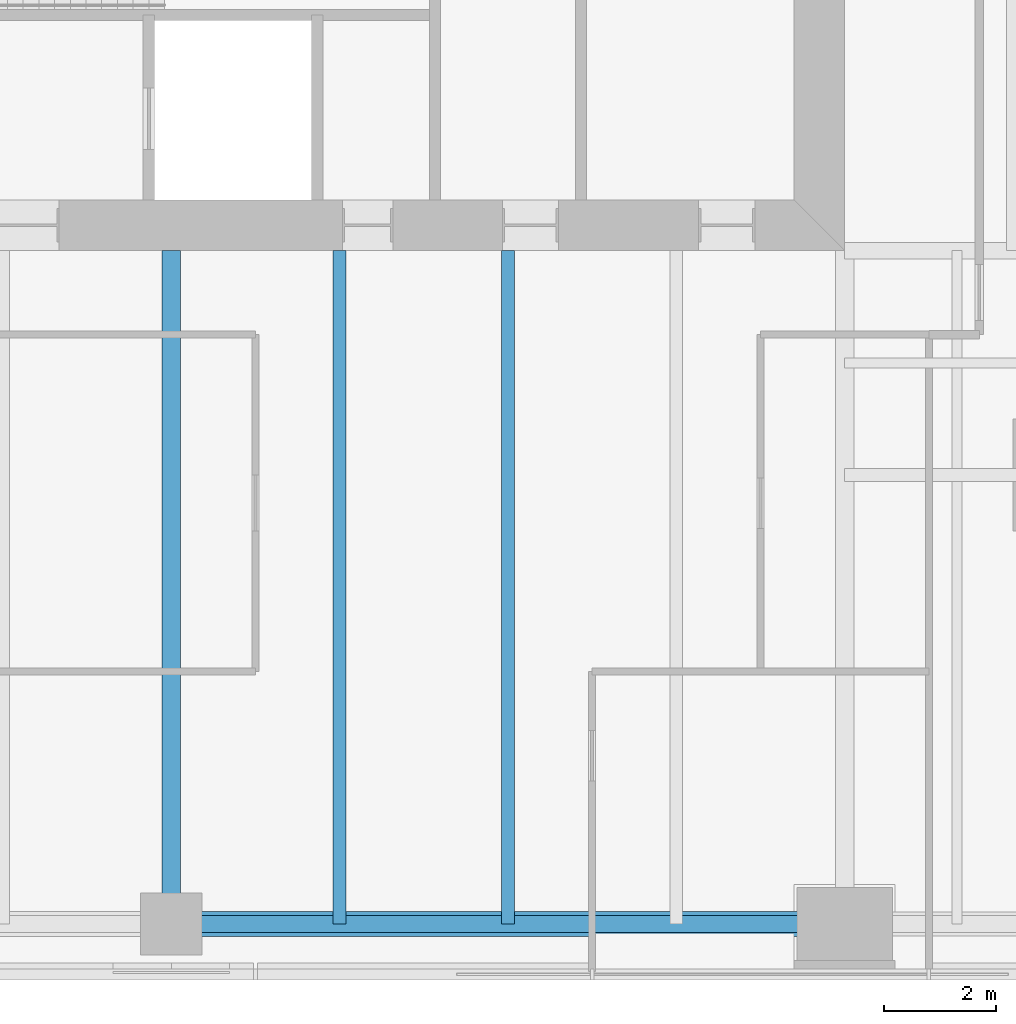
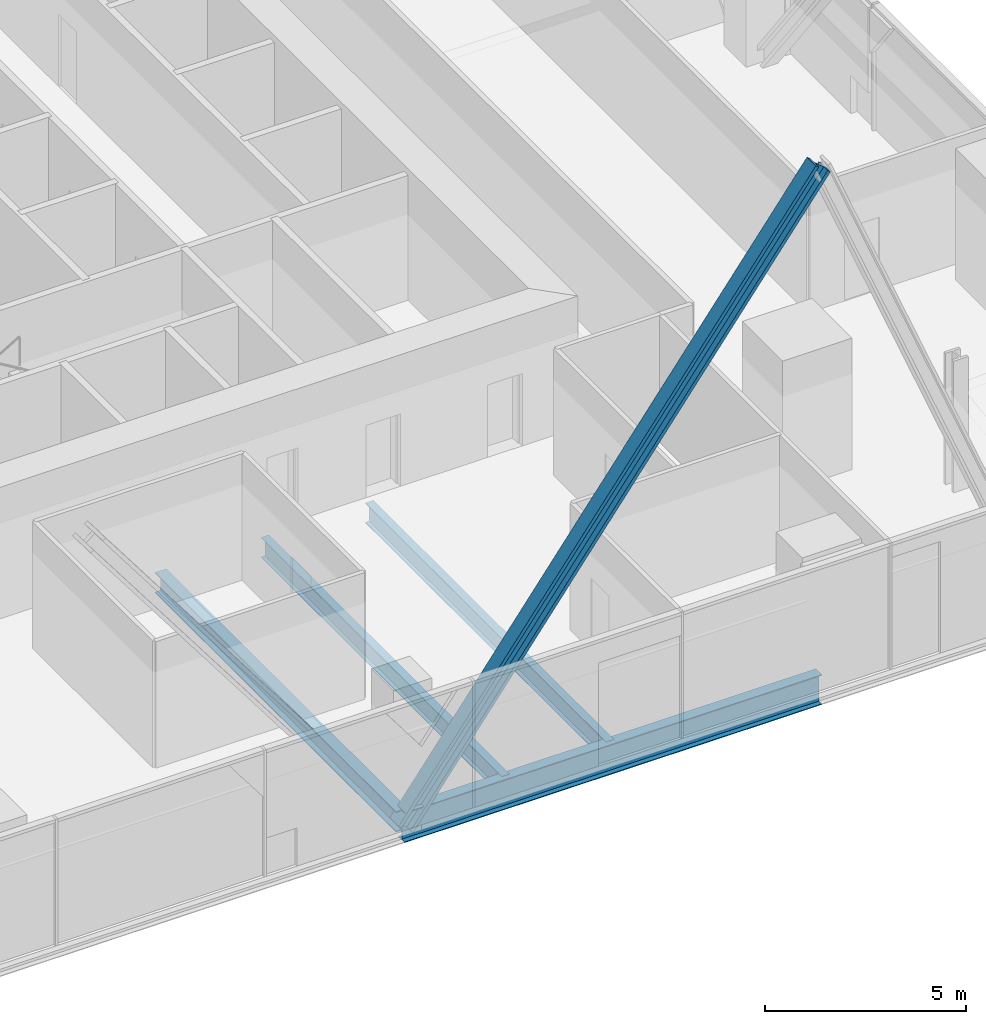
# One storey, part 3 of 14: 4 beams, 1 member.
"""IFC4 building model written with IfcOpenShell, lengths in metres."""

from ifc_helpers import new_model, si_unit, direction, frame, origin, origin_2d, place, context, subcontext, project, spatial, i_section, extrude, material, material_profile, profile_set, type_object, element, save


model = new_model("IFC4")

# Units and contexts
model_context = context("Model", 3, precision=1e-05, world=origin(), true_north=direction((0.0, 1.0)))
body_context = subcontext(model_context, "Body", "Model", "MODEL_VIEW")
ifc_project = project(units=[si_unit("LENGTHUNIT", "METRE"), si_unit("AREAUNIT", "SQUARE_METRE"), si_unit("VOLUMEUNIT", "CUBIC_METRE"), si_unit("PLANEANGLEUNIT", "RADIAN"), si_unit("MASSUNIT", "GRAM", prefix="KILO")], contexts=[model_context])

# Site, building, storey
site_placement = place(None, origin())
site = spatial("IfcSite", under=ifc_project, at=site_placement, CompositionType="ELEMENT")
building_placement = place(site_placement, origin())
building = spatial("IfcBuilding", under=site, at=building_placement, Name="Fenwick Lantern Interchange", CompositionType="ELEMENT")
storey_placement = place(building_placement, frame((0.0, 0.0, 217.800048828125)))
storey = spatial("IfcBuildingStorey", under=building, at=storey_placement, Name="L51", CompositionType="ELEMENT", Elevation=217.800048828125)

# Beam
ifc_material = material(Name="Steel ASTM A992 Grade 50", Category="steel")
ifc_material_profile_1 = material_profile(ifc_material, i_section(OverallWidth=0.3046875, OverallDepth=0.911865234375, WebThickness=0.015869140625, FlangeThickness=0.02392578125, at=origin_2d()), Name="W36X150")
ifc_profile_set_1 = profile_set([ifc_material_profile_1], Name="Steel ASTM A992 Grade 50")
beam_type_1 = type_object("IfcBeamType", Name="EDGE BEAM W36X150", PredefinedType="SPANDREL", material=ifc_profile_set_1)
beam_1_placement = place(storey_placement, frame((25.0, 1.0, -0.60595703125), z_axis=(1.0, 0.0, 0.0), x_axis=(0.0, 1.0, 0.0)))
element("IfcBeam", 1, at=beam_1_placement, inside=storey, type_object=beam_type_1, Name="L51/FR/S/EB3", PredefinedType="SPANDREL", context=body_context, shape_type="SweptSolid", body=[
    extrude(i_section(OverallWidth=0.3046875, OverallDepth=0.911865234375, WebThickness=0.015869140625, FlangeThickness=0.02392578125, at=origin_2d()), origin(), (0.0, 0.0, 1.0), 12.0),
])

# Member
ifc_material_profile_2 = material_profile(ifc_material, i_section(OverallWidth=0.44189453125, OverallDepth=0.53076171875, WebThickness=0.06591796875, FlangeThickness=0.105712890625, at=origin_2d()), Name="W14X605")
ifc_profile_set_2 = profile_set([ifc_material_profile_2], Name="Steel ASTM A992 Grade 50")
member_type = type_object("IfcMemberType", Name="FACADE BRACE W14X605", PredefinedType="BRACE", material=ifc_profile_set_2)
member_placement = place(storey_placement, frame((25.0, 1.0, -0.60595703125), z_axis=(0.602763000162, 0.0, 0.797920275238), x_axis=(0.0, 1.0, 0.0)))
element("IfcMember", 2, at=member_placement, inside=storey, type_object=member_type, Name="L51/FB/S/B", PredefinedType="BRACE", context=body_context, shape_type="SweptSolid", body=[
    extrude(i_section(OverallWidth=0.44189453125, OverallDepth=0.53076171875, WebThickness=0.06591796875, FlangeThickness=0.105712890625, at=origin_2d()), origin(), (0.0, 0.0, 1.0), 19.908203125),
])

# Beams
ifc_material_profile_3 = material_profile(ifc_material, i_section(OverallWidth=0.22900390625, OverallDepth=0.612060546875, WebThickness=0.011962890625, FlangeThickness=0.01953125, at=origin_2d()), Name="W24X84")
ifc_profile_set_3 = profile_set([ifc_material_profile_3], Name="Steel ASTM A992 Grade 50")
beam_type_2 = type_object("IfcBeamType", Name="FLOOR BEAM W24X84", PredefinedType="BEAM", material=ifc_profile_set_3)
for number, where, z_axis, x_axis, name in (
    (3, (28.0, 1.0, -0.4560546875), (0.0, 1.0, 0.0), (-1.0, 0.0, 0.0), "L51/FR/S/R06"),
    (4, (31.0, 1.0, -0.4560546875), (0.0, 1.0, 0.0), (-1.0, 0.0, 0.0), "L51/FR/S/R07"),
):
    element("IfcBeam", number, at=place(storey_placement, frame(where, z_axis=z_axis, x_axis=x_axis)), inside=storey, type_object=beam_type_2, Name=name, PredefinedType="BEAM", context=body_context, shape_type="SweptSolid", body=[
        extrude(i_section(OverallWidth=0.22900390625, OverallDepth=0.612060546875, WebThickness=0.011962890625, FlangeThickness=0.01953125, at=origin_2d()), origin(), (0.0, 0.0, 1.0), 12.0),
    ])
ifc_material_profile_4 = material_profile(ifc_material, i_section(OverallWidth=0.32763671875, OverallDepth=0.622314453125, WebThickness=0.015380859375, FlangeThickness=0.0244140625, at=origin_2d()), Name="W24X131")
ifc_profile_set_4 = profile_set([ifc_material_profile_4], Name="Steel ASTM A992 Grade 50")
beam_type_3 = type_object("IfcBeamType", Name="MOMENT-CONNECTED GIRDER W24X131", PredefinedType="BEAM", material=ifc_profile_set_4)
beam_2_placement = place(storey_placement, frame((25.0, 1.0, -0.461181640625), z_axis=(0.0, 1.0, 0.0), x_axis=(-1.0, 0.0, 0.0)))
element("IfcBeam", 5, at=beam_2_placement, inside=storey, type_object=beam_type_3, Name="L51/FR/S/R05", PredefinedType="BEAM", context=body_context, shape_type="SweptSolid", body=[
    extrude(i_section(OverallWidth=0.32763671875, OverallDepth=0.622314453125, WebThickness=0.015380859375, FlangeThickness=0.0244140625, at=origin_2d()), origin(), (0.0, 0.0, 1.0), 12.0),
])

save(model, "model.ifc")
